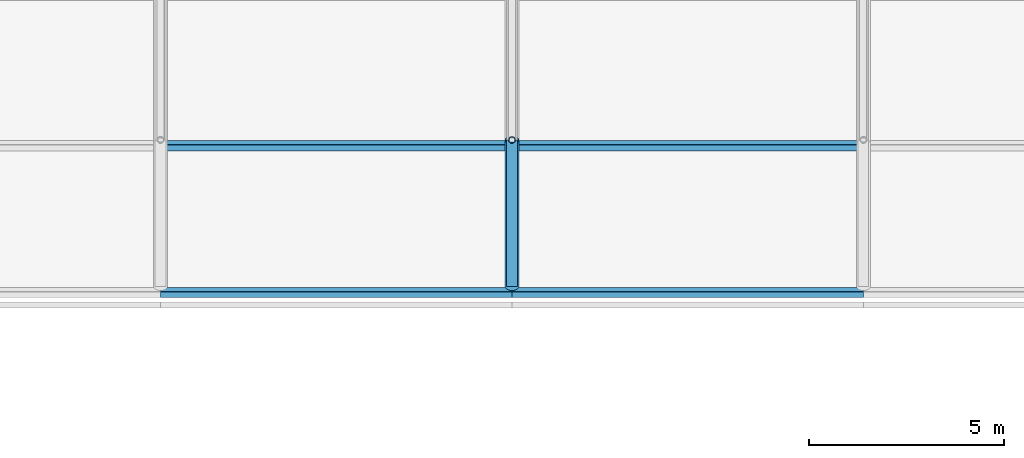
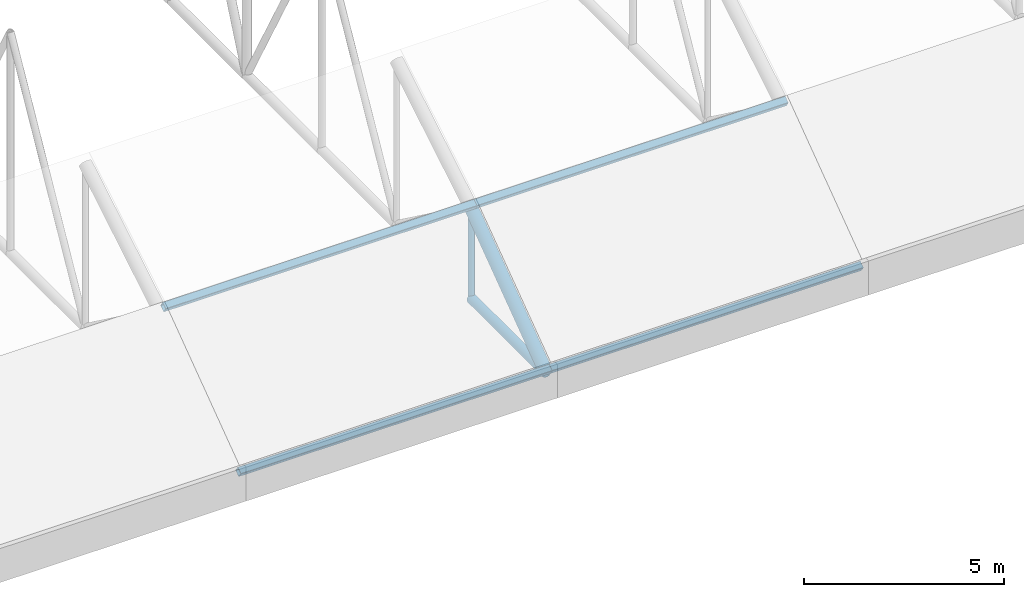
# One storey, part 57 of 153: 7 members.
"""IFC4 building model written with IfcOpenShell, lengths in metres."""

from ifc_helpers import new_model, si_unit, direction, frame, origin, origin_2d, place, context, subcontext, project, spatial, hollow_rectangle, hollow_circle, extrude, material, material_profile, profile_set, type_object, element, save


model = new_model("IFC4")

# Units and contexts
model_context = context("Model", 3, precision=1e-05, world=origin(), true_north=direction((0.0, 1.0)))
body_context = subcontext(model_context, "Body", "Model", "MODEL_VIEW")
ifc_project = project(units=[si_unit("LENGTHUNIT", "METRE"), si_unit("AREAUNIT", "SQUARE_METRE"), si_unit("VOLUMEUNIT", "CUBIC_METRE"), si_unit("PLANEANGLEUNIT", "RADIAN"), si_unit("MASSUNIT", "GRAM", prefix="KILO")], contexts=[model_context])

# Site, building, storey
site_placement = place(None, origin())
site = spatial("IfcSite", under=ifc_project, at=site_placement, CompositionType="ELEMENT")
building_placement = place(site_placement, origin())
building = spatial("IfcBuilding", under=site, at=building_placement, Name="Baradari Gate Terminus", CompositionType="ELEMENT")
storey_placement = place(building_placement, frame((0.0, 0.0, 11.699951171875)))
storey = spatial("IfcBuildingStorey", under=building, at=storey_placement, Name="L02", CompositionType="ELEMENT", Elevation=11.699951171875)

# Members
ifc_material_1 = material(Name="Steel S355", Category="steel")
ifc_material_profile_1 = material_profile(ifc_material_1, hollow_circle(Radius=0.136474609375, WallThickness=0.012451171875, at=origin_2d()), Name="CHS 273x12.5")
ifc_profile_set_1 = profile_set([ifc_material_profile_1], Name="Steel S355")
member_type_1 = type_object("IfcMemberType", Name="Shed bottom chord CHS 273x12.5", PredefinedType="CHORD", material=ifc_profile_set_1)
member_1_placement = place(storey_placement, frame((207.0, 36.0, 0.136474609375), z_axis=(0.0, 1.0, 0.0), x_axis=(-1.0, 0.0, 0.0)))
element("IfcMember", 1, at=member_1_placement, inside=storey, type_object=member_type_1, Name="TR/L02/S207-BC00", PredefinedType="CHORD", context=body_context, shape_type="SweptSolid", body=[
    extrude(hollow_circle(Radius=0.136474609375, WallThickness=0.012451171875, at=origin_2d()), origin(), (0.0, 0.0, 1.0), 3.75),
])
ifc_material_2 = material(Name="Steel S355", Category="steel")
ifc_material_profile_2 = material_profile(ifc_material_2, hollow_rectangle(XDim=0.199951171875, YDim=0.199951171875, WallThickness=0.008056640625, InnerFilletRadius=0.008056640625, OuterFilletRadius=0.01611328125, at=origin_2d()), Name="SHS 200x200x8")
ifc_profile_set_2 = profile_set([ifc_material_profile_2], Name="Steel S355")
member_type_2 = type_object("IfcMemberType", Name="Shed purlin SHS 200x200x8", PredefinedType="PURLIN", material=ifc_profile_set_2)
for number, where, z_axis, x_axis, name in (
    (2, (198.0, 35.8427734375, 0.350830078125), (1.0, 0.0, 0.0), (0.0, 0.80640499586, 0.591363663621), "TR/L02/B207-PU00"),
    (3, (198.0, 39.602783203125, 3.10791015625), (1.0, 0.0, 0.0), (0.0, 0.832836263724, 0.55351942859), "TR/L02/B207-PU01"),
    (4, (207.0, 35.8427734375, 0.350830078125), (1.0, 0.0, 0.0), (0.0, 0.80640499586, 0.591363663621), "TR/L02/B216-PU00"),
    (5, (207.0, 39.602783203125, 3.10791015625), (1.0, 0.0, 0.0), (0.0, 0.832836263724, 0.55351942859), "TR/L02/B216-PU01"),
):
    element("IfcMember", number, at=place(storey_placement, frame(where, z_axis=z_axis, x_axis=x_axis)), inside=storey, type_object=member_type_2, Name=name, PredefinedType="PURLIN", context=body_context, shape_type="SweptSolid", body=[
        extrude(hollow_rectangle(XDim=0.199951171875, YDim=0.199951171875, WallThickness=0.008056640625, InnerFilletRadius=0.008056640625, OuterFilletRadius=0.01611328125, at=origin_2d()), origin(), (0.0, 0.0, 1.0), 9.0),
    ])
ifc_material_3 = material(Name="Steel S355", Category="steel")
ifc_material_profile_3 = material_profile(ifc_material_3, hollow_circle(Radius=0.177734375, WallThickness=0.01611328125, at=origin_2d()), Name="CHS 355.6x16")
ifc_profile_set_3 = profile_set([ifc_material_profile_3], Name="Steel S355")
member_type_3 = type_object("IfcMemberType", Name="Shed top chord CHS 355.6x16", PredefinedType="CHORD", material=ifc_profile_set_3)
member_2_placement = place(storey_placement, frame((207.0, 36.0, 0.136474609375), z_axis=(0.0, 0.806404995856, 0.591363663628), x_axis=(-1.0, 0.0, 0.0)))
element("IfcMember", 6, at=member_2_placement, inside=storey, type_object=member_type_3, Name="TR/L02/S207-TC00", PredefinedType="CHORD", context=body_context, shape_type="SweptSolid", body=[
    extrude(hollow_circle(Radius=0.177734375, WallThickness=0.01611328125, at=origin_2d()), origin(), (0.0, 0.0, 1.0), 4.650390625),
])
ifc_material_4 = material(Name="Steel S355", Category="steel")
ifc_material_profile_4 = material_profile(ifc_material_4, hollow_circle(Radius=0.084228515625, WallThickness=0.008056640625, at=origin_2d()), Name="CHS 168.3x8")
ifc_profile_set_4 = profile_set([ifc_material_profile_4], Name="Steel S355")
member_type_4 = type_object("IfcMemberType", Name="Shed truss post CHS 168.3x8", PredefinedType="POST", material=ifc_profile_set_4)
member_3_placement = place(storey_placement, frame((207.0, 39.75, 0.136474609375), z_axis=(0.0, 0.0, 1.0), x_axis=(1.0, 0.0, 0.0)))
element("IfcMember", 7, at=member_3_placement, inside=storey, type_object=member_type_4, Name="TR/L02/S207-SP01", PredefinedType="POST", context=body_context, shape_type="SweptSolid", body=[
    extrude(hollow_circle(Radius=0.084228515625, WallThickness=0.008056640625, at=origin_2d()), origin(), (0.0, 0.0, 1.0), 2.75),
])

save(model, "model.ifc")
